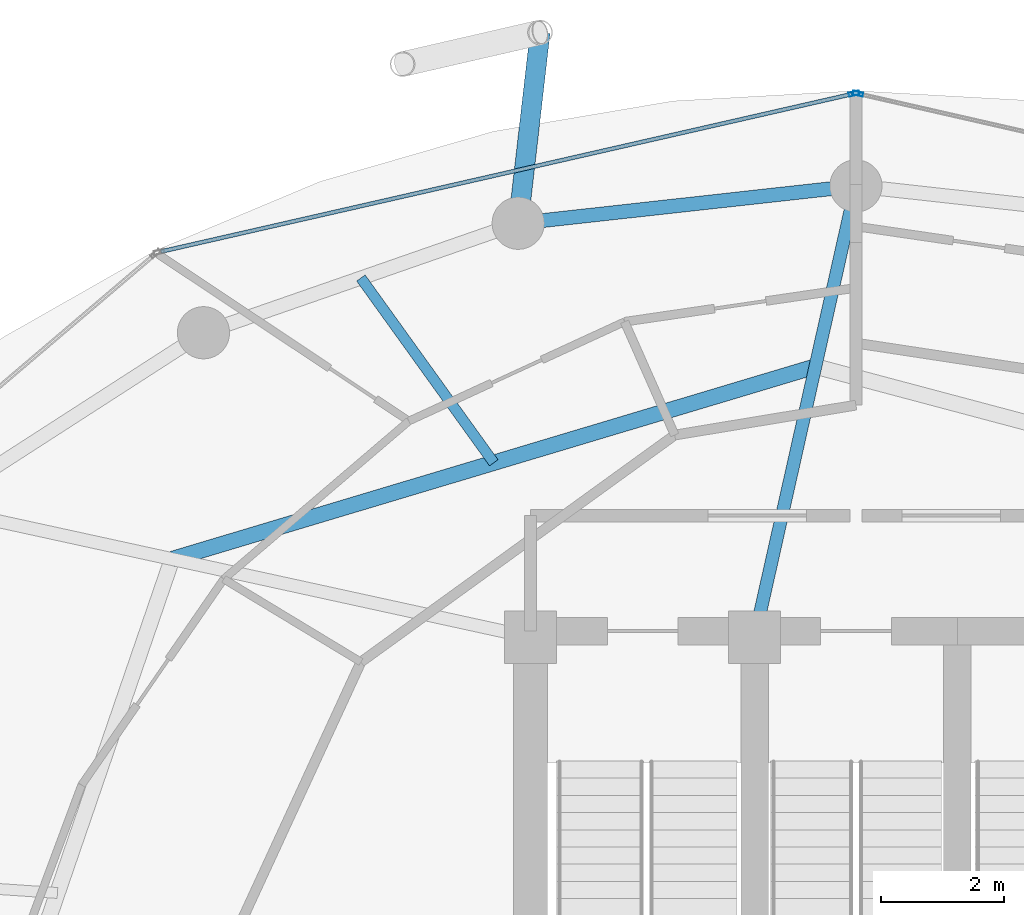
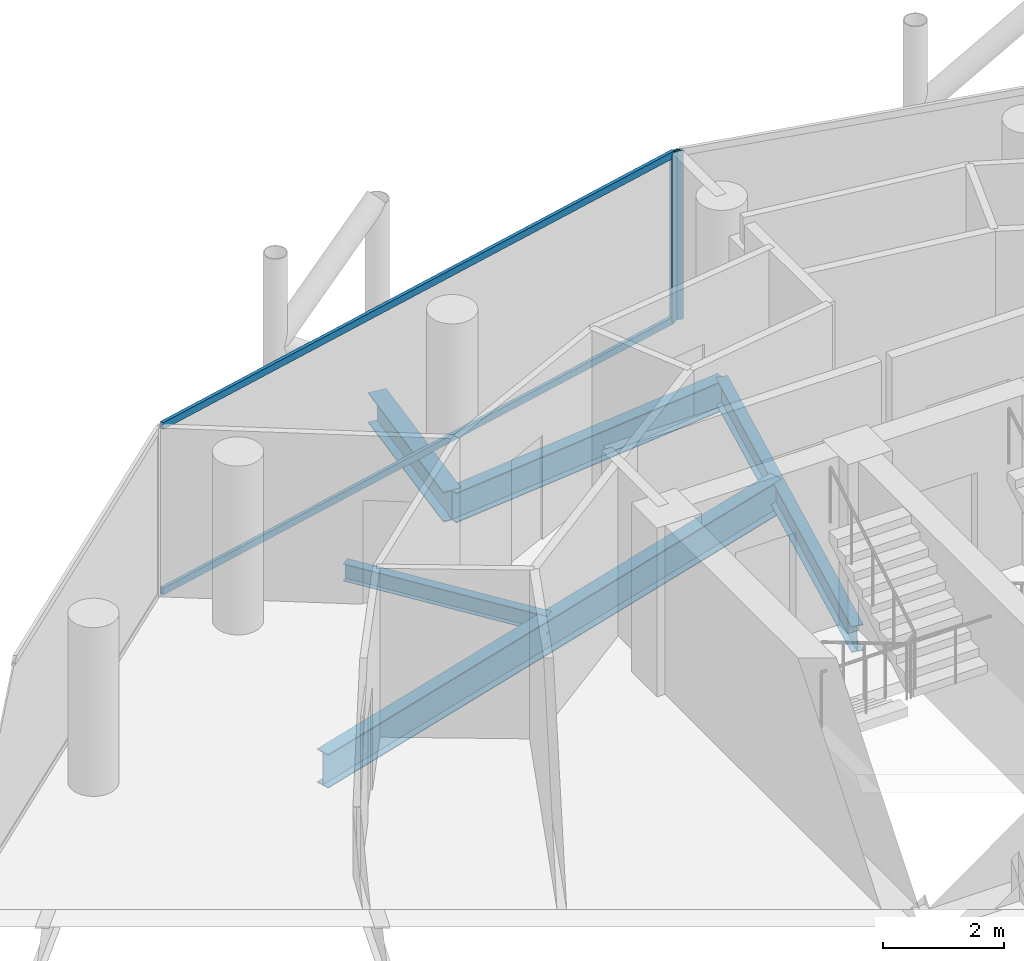
# One storey, part 19 of 27: 5 beams, 4 members, 2 elements without a shape of their own.
"""IFC4 building model written with IfcOpenShell, lengths in metres."""

from ifc_helpers import new_model, si_unit, direction, frame, origin, origin_2d, place, context, subcontext, project, spatial, hollow_rectangle, i_section, extrude, material, layer, layer_set, material_profile, profile_set, type_object, element, aggregate, save


model = new_model("IFC4")

# Units and contexts
model_context = context("Model", 3, precision=1e-05, world=origin(), true_north=direction((0.0, 1.0)))
body_context = subcontext(model_context, "Body", "Model", "MODEL_VIEW")
ifc_project = project(units=[si_unit("LENGTHUNIT", "METRE"), si_unit("AREAUNIT", "SQUARE_METRE"), si_unit("VOLUMEUNIT", "CUBIC_METRE"), si_unit("PLANEANGLEUNIT", "RADIAN"), si_unit("MASSUNIT", "GRAM", prefix="KILO")], contexts=[model_context])

# Site, building, storey
site_placement = place(None, origin())
site = spatial("IfcSite", under=ifc_project, at=site_placement, CompositionType="ELEMENT")
building_placement = place(site_placement, origin())
building = spatial("IfcBuilding", under=site, at=building_placement, Name="Nuhasar Tower", CompositionType="ELEMENT")
storey_placement = place(building_placement, frame((0.0, 0.0, 237.35009765625)))
storey = spatial("IfcBuildingStorey", under=building, at=storey_placement, Name="L58", CompositionType="ELEMENT", Elevation=237.35009765625)

# Beams
ifc_material_1 = material(Name="Steel S355", Category="steel")
ifc_material_profile_1 = material_profile(ifc_material_1, i_section(OverallWidth=0.25390625, OverallDepth=0.68408203125, WebThickness=0.012451171875, FlangeThickness=0.018798828125, at=origin_2d()), Name="W27X94")
ifc_profile_set_1 = profile_set([ifc_material_profile_1], Name="Steel S355")
beam_type_1 = type_object("IfcBeamType", Name="BM-INRING-W27X94", PredefinedType="BEAM", material=ifc_profile_set_1)
beam_1_placement = place(storey_placement, frame((38.340087890625, 41.7099609375, -0.58203125), z_axis=(-0.957973628187, -0.28685628405, 0.0), x_axis=(0.28685628405, -0.957973628187, 0.0)))
element("IfcBeam", 1, at=beam_1_placement, inside=storey, type_object=beam_type_1, Name="L58 Inner Header Beam 06", PredefinedType="BEAM", context=body_context, shape_type="SweptSolid", body=[
    extrude(i_section(OverallWidth=0.25390625, OverallDepth=0.68408203125, WebThickness=0.012451171875, FlangeThickness=0.018798828125, at=origin_2d()), origin(), (0.0, 0.0, 1.0), 10.935546875),
])
ifc_material_profile_2 = material_profile(ifc_material_1, i_section(OverallWidth=0.1708984375, OverallDepth=0.35205078125, WebThickness=0.0068359375, FlangeThickness=0.009765625, at=origin_2d()), Name="W14X30")
ifc_profile_set_2 = profile_set([ifc_material_profile_2], Name="Steel S355")
beam_type_2 = type_object("IfcBeamType", Name="BM-JST-W14X30", PredefinedType="JOIST", material=ifc_profile_set_2)
beam_2_placement = place(storey_placement, frame((33.10205078125, 40.14208984375, -0.416015625), z_axis=(-0.58390205555, 0.811824112431, 0.0), x_axis=(-0.811824112431, -0.58390205555, 0.0)))
element("IfcBeam", 2, at=beam_2_placement, inside=storey, type_object=beam_type_2, Name="L58 Secondary Floor Joist 06", PredefinedType="JOIST", context=body_context, shape_type="SweptSolid", body=[
    extrude(i_section(OverallWidth=0.1708984375, OverallDepth=0.35205078125, WebThickness=0.0068359375, FlangeThickness=0.009765625, at=origin_2d()), origin(), (0.0, 0.0, 1.0), 3.706298828125),
])
ifc_material_profile_3 = material_profile(ifc_material_1, i_section(OverallWidth=0.208984375, OverallDepth=0.528076171875, WebThickness=0.009521484375, FlangeThickness=0.01318359375, at=origin_2d()), Name="W21X55")
ifc_profile_set_3 = profile_set([ifc_material_profile_3], Name="Steel S355")
beam_type_3 = type_object("IfcBeamType", Name="BM-RAD-W21X55", PredefinedType="BEAM", material=ifc_profile_set_3)
beam_3_placement = place(storey_placement, frame((37.35009765625, 37.300048828125, -0.504150390625), z_axis=(0.219030156142, 0.975718089768, 0.0), x_axis=(-0.975718089768, 0.219030156142, 0.0)))
element("IfcBeam", 3, at=beam_3_placement, inside=storey, type_object=beam_type_3, Name="L58 Radial Floor Girder 06", PredefinedType="BEAM", context=body_context, shape_type="SweptSolid", body=[
    extrude(i_section(OverallWidth=0.208984375, OverallDepth=0.528076171875, WebThickness=0.009521484375, FlangeThickness=0.01318359375, at=origin_2d()), origin(), (0.0, 0.0, 1.0), 7.53271484375),
])
ifc_material_profile_4 = material_profile(ifc_material_1, i_section(OverallWidth=0.22802734375, OverallDepth=0.60791015625, WebThickness=0.01123046875, FlangeThickness=0.017333984375, at=origin_2d()), Name="W24X76")
ifc_profile_set_4 = profile_set([ifc_material_profile_4], Name="Steel S355")
beam_type_4 = type_object("IfcBeamType", Name="BM-RING-W24X76", PredefinedType="SPANDREL", material=ifc_profile_set_4)
beam_4_placement = place(storey_placement, frame((39.0, 44.64990234375, -0.544189453125), z_axis=(-0.993947060915, -0.109860093292, 0.0), x_axis=(0.109860093292, -0.993947060915, 0.0)))
element("IfcBeam", 4, at=beam_4_placement, inside=storey, type_object=beam_type_4, Name="L58 Perimeter Ring Spandrel 07", PredefinedType="SPANDREL", context=body_context, shape_type="SweptSolid", body=[
    extrude(i_section(OverallWidth=0.22802734375, OverallDepth=0.60791015625, WebThickness=0.01123046875, FlangeThickness=0.017333984375, at=origin_2d()), origin(), (0.0, 0.0, 1.0), 5.533447265625),
])
ifc_material_profile_5 = material_profile(ifc_material_1, i_section(OverallWidth=0.323974609375, OverallDepth=0.611083984375, WebThickness=0.0126953125, FlangeThickness=0.01904296875, at=origin_2d()), Name="W24X104")
ifc_profile_set_5 = profile_set([ifc_material_profile_5], Name="Steel S355")
beam_type_5 = type_object("IfcBeamType", Name="BM-TIE-W24X104", PredefinedType="BEAM", material=ifc_profile_set_5)
beam_5_placement = place(storey_placement, frame((33.5, 44.0419921875, -0.545166015625), z_axis=(0.114132222314, 0.993465568517, 0.0), x_axis=(-0.993465568517, 0.114132222314, 0.0)))
element("IfcBeam", 5, at=beam_5_placement, inside=storey, type_object=beam_type_5, Name="L58 Exoskeleton Node Tie Beam 04", PredefinedType="BEAM", context=body_context, shape_type="SweptSolid", body=[
    extrude(i_section(OverallWidth=0.323974609375, OverallDepth=0.611083984375, WebThickness=0.0126953125, FlangeThickness=0.01904296875, at=origin_2d()), origin(), (0.0, 0.0, 1.0), 3.12744140625),
])

# Curtain wall, member
ifc_material_2 = material(Name="Aluminium 6063-T6", Category="aluminium")
ifc_layer = layer(ifc_material_2, 0.18994140625)
ifc_layer_set = layer_set([ifc_layer], Name="Aluminium 6063-T6")
curtain_wall_type = type_object("IfcCurtainWallType", Name="CW-Z3-RES", PredefinedType="NOTDEFINED", material=ifc_layer_set)
curtain_wall_1_placement = place(storey_placement, origin())
curtain_wall_1 = element("IfcCurtainWall", 6, at=curtain_wall_1_placement, inside=storey, type_object=curtain_wall_type, Name="L58 Unitised Curtain Wall 03", PredefinedType="NOTDEFINED")
ifc_material_profile_6 = material_profile(ifc_material_2, hollow_rectangle(XDim=0.06494140625, YDim=0.169921875, WallThickness=0.0048828125, at=origin_2d()), Name="CWM-4")
ifc_profile_set_6 = profile_set([ifc_material_profile_6], Name="Aluminium 6063-T6")
member_type_1 = type_object("IfcMemberType", Name="CW-MUL-S4", PredefinedType="MULLION", material=ifc_profile_set_6)
member_1_placement = place(storey_placement, frame((39.03173828125, 46.15283203125, 0.0), z_axis=(0.0, 0.0, 1.0), x_axis=(-0.222243176313, -0.974991266926, 0.0)))
member_1 = element("IfcMember", 7, at=member_1_placement, type_object=member_type_1, Name="CW-Z3 mullion 2", PredefinedType="MULLION", context=body_context, shape_type="SweptSolid", body=[
    extrude(hollow_rectangle(XDim=0.06494140625, YDim=0.169921875, WallThickness=0.0048828125, at=origin_2d()), origin(), (0.0, 0.0, 1.0), 3.409912109375),
])
aggregate(curtain_wall_1, [member_1])

# Curtain wall, members
curtain_wall_2_placement = place(storey_placement, origin())
curtain_wall_2 = element("IfcCurtainWall", 8, at=curtain_wall_2_placement, inside=storey, type_object=curtain_wall_type, Name="L58 Unitised Curtain Wall 04", PredefinedType="NOTDEFINED")
member_2_placement = place(storey_placement, frame((38.96826171875, 46.15283203125, 0.0), z_axis=(0.0, 0.0, 1.0), x_axis=(0.222243176313, -0.974991266926, 0.0)))
member_2 = element("IfcMember", 9, at=member_2_placement, type_object=member_type_1, Name="CW-Z3 mullion 1", PredefinedType="MULLION", context=body_context, shape_type="SweptSolid", body=[
    extrude(hollow_rectangle(XDim=0.06494140625, YDim=0.169921875, WallThickness=0.0048828125, at=origin_2d()), origin(), (0.0, 0.0, 1.0), 3.409912109375),
])
ifc_material_profile_7 = material_profile(ifc_material_2, hollow_rectangle(XDim=0.06494140625, YDim=0.139892578125, WallThickness=0.00439453125, at=origin_2d()), Name="CWT-4")
ifc_profile_set_7 = profile_set([ifc_material_profile_7], Name="Aluminium 6063-T6")
member_type_2 = type_object("IfcMemberType", Name="CW-TRN-S4", PredefinedType="USERDEFINED", material=ifc_profile_set_7)
member_3_placement = place(storey_placement, frame((38.9365234375, 46.1455078125, 0.032470703125), z_axis=(-0.974994070913, -0.222230874732, 0.0), x_axis=(0.222230874732, -0.974994070913, 0.0)))
member_3 = element("IfcMember", 10, at=member_3_placement, type_object=member_type_2, Name="CW-Z3 transom 1.1", ObjectType="TRANSOM", PredefinedType="USERDEFINED", context=body_context, shape_type="SweptSolid", body=[
    extrude(hollow_rectangle(XDim=0.06494140625, YDim=0.139892578125, WallThickness=0.00439453125, at=origin_2d()), origin(), (0.0, 0.0, 1.0), 11.541748046875),
])
member_4_placement = place(storey_placement, frame((38.9365234375, 46.1455078125, 3.37744140625), z_axis=(-0.974994070913, -0.222230874732, 0.0), x_axis=(0.222230874732, -0.974994070913, 0.0)))
member_4 = element("IfcMember", 11, at=member_4_placement, type_object=member_type_2, Name="CW-Z3 transom 1.2", ObjectType="TRANSOM", PredefinedType="USERDEFINED", context=body_context, shape_type="SweptSolid", body=[
    extrude(hollow_rectangle(XDim=0.06494140625, YDim=0.139892578125, WallThickness=0.00439453125, at=origin_2d()), origin(), (0.0, 0.0, 1.0), 11.541748046875),
])
aggregate(curtain_wall_2, [member_2, member_3, member_4])

save(model, "model.ifc")
